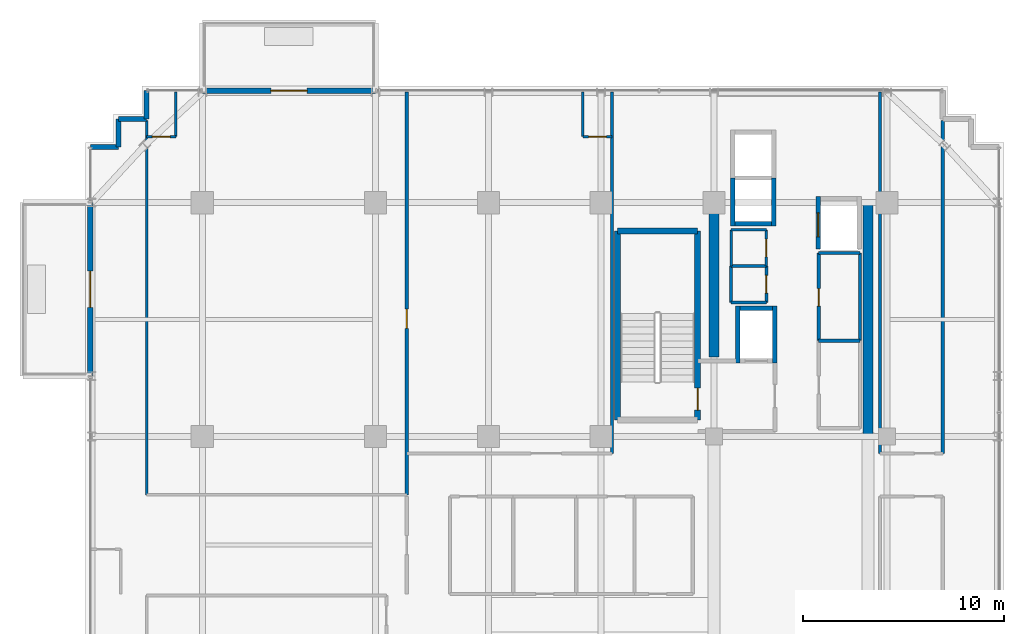
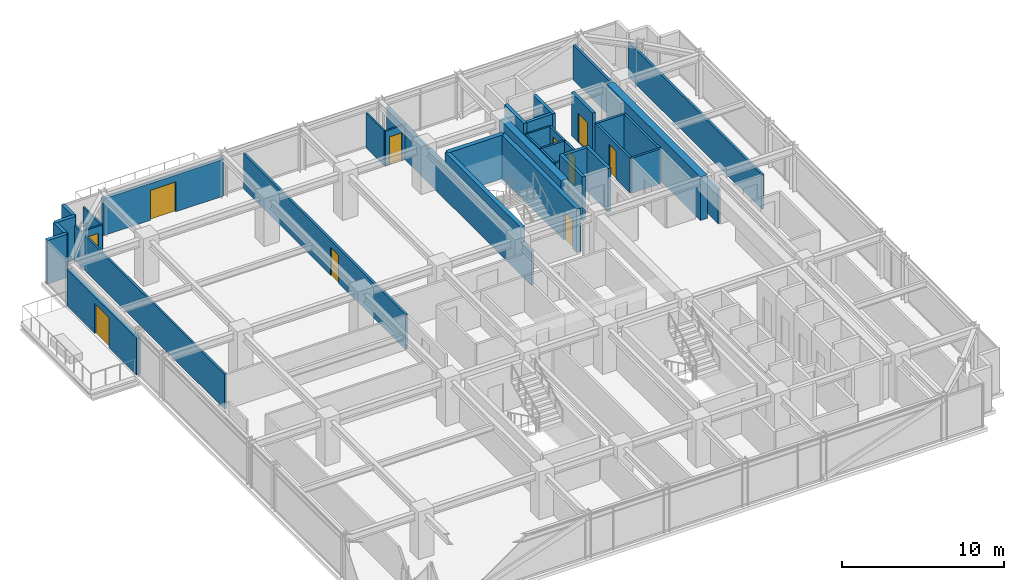
# One storey, part 28 of 32: 38 walls, 10 doors, 10 openings.
"""IFC4 building model written with IfcOpenShell, lengths in metres."""

from ifc_helpers import new_model, si_unit, direction, frame, frame_2d, origin, place, context, subcontext, project, spatial, rectangle, extrude, source, transform, mapped, material, layer, layer_set, type_object, element, fill, save


model = new_model("IFC4")

# Units and contexts
model_context = context("Model", 3, precision=1e-05, world=origin(), true_north=direction((0.0, 1.0)))
body_context = subcontext(model_context, "Body", "Model", "MODEL_VIEW")
ifc_project = project(units=[si_unit("LENGTHUNIT", "METRE"), si_unit("AREAUNIT", "SQUARE_METRE"), si_unit("VOLUMEUNIT", "CUBIC_METRE"), si_unit("PLANEANGLEUNIT", "RADIAN"), si_unit("MASSUNIT", "GRAM", prefix="KILO")], contexts=[model_context])

# Site, building, storey
site_placement = place(None, origin())
site = spatial("IfcSite", under=ifc_project, at=site_placement, CompositionType="ELEMENT")
building_placement = place(site_placement, origin())
building = spatial("IfcBuilding", under=site, at=building_placement, Name="Nahalor Promenade Grand Hotel", CompositionType="ELEMENT")
storey_placement = place(building_placement, frame((0.0, 0.0, 196.449951171875)))
storey = spatial("IfcBuildingStorey", under=building, at=storey_placement, Name="L50", CompositionType="ELEMENT", Elevation=196.449951171875)

# Walls
ifc_material_1 = material(Name="Concrete B-60 (C50/60)", Category="concrete")
ifc_layer_1 = layer(ifc_material_1, 0.5)
ifc_layer_set_1 = layer_set([ifc_layer_1], Name="Concrete B-60 (C50/60)")
wall_type_1 = type_object("IfcWallType", Name="Wall-CoreShear-500", PredefinedType="SHEAR", material=ifc_layer_set_1)
shared_shape_1 = source(origin(), body_context, "Body", "SweptSolid", [
    extrude(rectangle(XDim=7.64990234375, YDim=0.5, at=frame_2d((3.824951171875, 0.0))), origin(), (0.0, 0.0, 1.0), 3.2900390625),
])
wall_1_placement = place(storey_placement, frame((8.39990234375, 9.35009765625, 0.0), z_axis=(0.0, 0.0, 1.0), x_axis=(0.0, 1.0, 0.0)))
element("IfcWall", 1, at=wall_1_placement, inside=storey, type_object=wall_type_1, Name="CWALL-L50-NW", PredefinedType="SHEAR", context=body_context, shape_type="MappedRepresentation", body=[
    mapped(shared_shape_1, transform((0.0, 0.0, 0.0), scale=1.0)),
])
shared_shape_2 = source(origin(), body_context, "Body", "SweptSolid", [
    extrude(rectangle(XDim=11.60009765625, YDim=0.5, at=frame_2d((5.800048828125, 0.0))), origin(), (0.0, 0.0, 1.0), 3.2900390625),
])
wall_2_placement = place(storey_placement, frame((16.050048828125, 5.39990234375, 0.0), z_axis=(0.0, 0.0, 1.0), x_axis=(0.0, 1.0, 0.0)))
element("IfcWall", 2, at=wall_2_placement, inside=storey, type_object=wall_type_1, Name="CWALL-L50-NE", PredefinedType="SHEAR", context=body_context, shape_type="MappedRepresentation", body=[
    mapped(shared_shape_2, transform((0.0, 0.0, 0.0), scale=1.0)),
])
ifc_material_2 = material(Name="Concrete B-50 (C40/50)", Category="concrete")
ifc_layer_2 = layer(ifc_material_2, 0.300048828125)
ifc_layer_set_2 = layer_set([ifc_layer_2], Name="Concrete B-50 (C40/50)")
wall_type_2 = type_object("IfcWallType", Name="Wall-ShaftShear-300", PredefinedType="SHEAR", material=ifc_layer_set_2)
shared_shape_3 = source(origin(), body_context, "Body", "SweptSolid", [
    extrude(rectangle(XDim=3.97998046875, YDim=0.300048828125, at=frame_2d((1.989990234375, 0.0))), origin(), (0.0, 0.0, 1.0), 3.2900390625),
])
wall_3_placement = place(storey_placement, frame((3.610107421875, 15.590087890625, 0.0), z_axis=(0.0, 0.0, 1.0), x_axis=(1.0, 0.0, 0.0)))
element("IfcWall", 3, at=wall_3_placement, inside=storey, type_object=wall_type_2, Name="L50 Exit Stair ST1 Shaft Wall N", PredefinedType="SHEAR", context=body_context, shape_type="MappedRepresentation", body=[
    mapped(shared_shape_3, transform((0.0, 0.0, 0.0), scale=1.0)),
])
shared_shape_4 = source(origin(), body_context, "Body", "SweptSolid", [
    extrude(rectangle(XDim=9.380126953125, YDim=0.300048828125, at=frame_2d((4.68994140625, 0.0))), origin(), (0.0, 0.0, 1.0), 3.2900390625),
])
wall_4_placement = place(storey_placement, frame((3.610107421875, 6.2099609375, 0.0), z_axis=(0.0, 0.0, 1.0), x_axis=(0.0, 1.0, 0.0)))
element("IfcWall", 4, at=wall_4_placement, inside=storey, type_object=wall_type_2, Name="L50 Exit Stair ST1 Shaft Wall W", PredefinedType="SHEAR", context=body_context, shape_type="MappedRepresentation", body=[
    mapped(shared_shape_4, transform((0.0, 0.0, 0.0), scale=1.0)),
])

# Wall, opening, door
wall_5_placement = place(storey_placement, frame((7.590087890625, 6.2099609375, 0.0), z_axis=(0.0, 0.0, 1.0), x_axis=(0.0, 1.0, 0.0)))
wall_5 = element("IfcWall", 5, at=wall_5_placement, inside=storey, type_object=wall_type_2, Name="L50 Exit Stair ST1 Shaft Wall E", PredefinedType="SHEAR", context=body_context, shape_type="MappedRepresentation", body=[
    mapped(shared_shape_4, transform((0.0, 0.0, 0.0), scale=1.0)),
])
opening_1_placement = place(wall_5_placement, frame((0.489990234375, 0.0, 0.0)))
opening_1 = element("IfcOpeningElement", 6, at=opening_1_placement, cuts=wall_5, Name="Opening D-ST1", PredefinedType="OPENING", context=body_context, shape_type="SweptSolid", body=[
    extrude(rectangle(XDim=1.10009765625, YDim=2.14990234375, at=frame_2d((0.550048828125, 1.074951171875))), frame((0.0, 0.159912109375, 0.0), z_axis=(0.0, -1.0, 0.0), x_axis=(1.0, 0.0, 0.0)), (0.0, 0.0, 1.0), 0.320068359375),
])
ifc_material_3 = material(Name="Steel S355JR", Category="steel")
door_type_1 = type_object("IfcDoorType", Name="Door-StairFire-1100", OperationType="NOTDEFINED", PredefinedType="DOOR", material=ifc_material_3)
shared_shape_5 = source(origin(), body_context, "Body", "SweptSolid", [
    extrude(rectangle(XDim=1.10009765625, YDim=2.14990234375, at=frame_2d((0.550048828125, 1.074951171875))), frame((0.0, 0.02490234375, 0.0), z_axis=(0.0, -1.0, 0.0), x_axis=(1.0, 0.0, 0.0)), (0.0, 0.0, 1.0), 0.050048828125),
])
door_1_placement = place(opening_1_placement, origin())
door_1 = element("IfcDoor", 7, at=door_1_placement, inside=storey, type_object=door_type_1, Name="DR-STAIR-ST1-L50", OperationType="SINGLE_SWING_LEFT", OverallHeight=2.14990234375, OverallWidth=1.10009765625, PredefinedType="DOOR", context=body_context, shape_type="MappedRepresentation", body=[
    mapped(shared_shape_5, transform((0.0, 0.0, 0.0), scale=1.0)),
])
fill(opening_1, door_1)

# Walls
ifc_layer_3 = layer(ifc_material_2, 0.219970703125)
ifc_layer_set_3 = layer_set([ifc_layer_3], Name="Concrete B-50 (C40/50)")
wall_type_3 = type_object("IfcWallType", Name="Wall-LiftShaft-220", PredefinedType="SHEAR", material=ifc_layer_set_3)
shared_shape_6 = source(origin(), body_context, "Body", "SweptSolid", [
    extrude(rectangle(XDim=1.820068359375, YDim=0.219970703125, at=frame_2d((0.91015625, 0.0))), origin(), (0.0, 0.0, 1.0), 3.2900390625),
])
wall_6_placement = place(storey_placement, frame((9.43994140625, 15.949951171875, 0.0), z_axis=(0.0, 0.0, 1.0), x_axis=(1.0, 0.0, 0.0)))
element("IfcWall", 8, at=wall_6_placement, inside=storey, type_object=wall_type_3, Name="L50 Lift OB1 Hoistway Wall S", PredefinedType="SHEAR", context=body_context, shape_type="MappedRepresentation", body=[
    mapped(shared_shape_6, transform((0.0, 0.0, 0.0), scale=1.0)),
])
shared_shape_7 = source(origin(), body_context, "Body", "SweptSolid", [
    extrude(rectangle(XDim=2.385009765625, YDim=0.219970703125, at=frame_2d((1.1923828125, 0.0))), origin(), (0.0, 0.0, 1.0), 3.2900390625),
])
for number, where, z_axis, x_axis, name in (
    (9, (9.330078125, 15.840087890625, 0.0), (0.0, 0.0, 1.0), (0.0, 1.0, 0.0), "L50 Lift OB1 Hoistway Wall W"),
    (10, (11.3701171875, 15.840087890625, 0.0), (0.0, 0.0, 1.0), (0.0, 1.0, 0.0), "L50 Lift OB1 Hoistway Wall E"),
):
    element("IfcWall", number, at=place(storey_placement, frame(where, z_axis=z_axis, x_axis=x_axis)), inside=storey, type_object=wall_type_3, Name=name, PredefinedType="SHEAR", context=body_context, shape_type="MappedRepresentation", body=[
        mapped(shared_shape_7, transform((0.0, 0.0, 0.0), scale=1.0)),
    ])
shared_shape_8 = source(origin(), body_context, "Body", "SweptSolid", [
    extrude(rectangle(XDim=2.820068359375, YDim=0.219970703125, at=frame_2d((1.41015625, 0.0))), origin(), (0.0, 0.0, 1.0), 3.2900390625),
])
for number, where, z_axis, x_axis, name in (
    (11, (9.580078125, 9.0400390625, 0.0), (0.0, 0.0, 1.0), (0.0, 1.0, 0.0), "L50 Lift FL1 Hoistway Wall W"),
    (12, (11.419921875, 9.0400390625, 0.0), (0.0, 0.0, 1.0), (0.0, 1.0, 0.0), "L50 Lift FL1 Hoistway Wall E"),
):
    element("IfcWall", number, at=place(storey_placement, frame(where, z_axis=z_axis, x_axis=x_axis)), inside=storey, type_object=wall_type_3, Name=name, PredefinedType="SHEAR", context=body_context, shape_type="MappedRepresentation", body=[
        mapped(shared_shape_8, transform((0.0, 0.0, 0.0), scale=1.0)),
    ])
shared_shape_9 = source(origin(), body_context, "Body", "SweptSolid", [
    extrude(rectangle(XDim=1.6201171875, YDim=0.219970703125, at=frame_2d((0.81005859375, 0.0))), origin(), (0.0, 0.0, 1.0), 3.2900390625),
])
wall_7_placement = place(storey_placement, frame((9.68994140625, 11.75, 0.0), z_axis=(0.0, 0.0, 1.0), x_axis=(1.0, 0.0, 0.0)))
element("IfcWall", 13, at=wall_7_placement, inside=storey, type_object=wall_type_3, Name="L50 Lift FL1 Hoistway Wall N", PredefinedType="SHEAR", context=body_context, shape_type="MappedRepresentation", body=[
    mapped(shared_shape_9, transform((0.0, 0.0, 0.0), scale=1.0)),
])

# Wall, opening, door
shared_shape_10 = source(origin(), body_context, "Body", "SweptSolid", [
    extrude(rectangle(XDim=2.610107421875, YDim=0.219970703125, at=frame_2d((1.30517578125, 0.0))), origin(), (0.0, 0.0, 1.0), 3.2900390625),
])
wall_8_placement = place(storey_placement, frame((13.580078125, 14.699951171875, 0.0), z_axis=(0.0, 0.0, 1.0), x_axis=(0.0, 1.0, 0.0)))
wall_8 = element("IfcWall", 14, at=wall_8_placement, inside=storey, type_object=wall_type_3, Name="L50 Lift SV1 Hoistway Wall W", PredefinedType="SHEAR", context=body_context, shape_type="MappedRepresentation", body=[
    mapped(shared_shape_10, transform((0.0, 0.0, 0.0), scale=1.0)),
])
opening_2_placement = place(wall_8_placement, frame((0.60009765625, 0.0, 0.0)))
opening_2 = element("IfcOpeningElement", 15, at=opening_2_placement, cuts=wall_8, Name="Opening LD-03", PredefinedType="OPENING", context=body_context, shape_type="SweptSolid", body=[
    extrude(rectangle(XDim=1.199951171875, YDim=2.199951171875, at=frame_2d((0.60009765625, 1.10009765625))), frame((0.0, 0.119873046875, 0.0), z_axis=(0.0, -1.0, 0.0), x_axis=(1.0, 0.0, 0.0)), (0.0, 0.0, 1.0), 0.239990234375),
])
door_type_2 = type_object("IfcDoorType", Name="Door-LiftService-1200", OperationType="DOUBLE_DOOR_SLIDING", PredefinedType="DOOR", material=ifc_material_3)
shared_shape_11 = source(origin(), body_context, "Body", "SweptSolid", [
    extrude(rectangle(XDim=1.199951171875, YDim=2.199951171875, at=frame_2d((0.60009765625, 1.10009765625))), frame((0.0, 0.02490234375, 0.0), z_axis=(0.0, -1.0, 0.0), x_axis=(1.0, 0.0, 0.0)), (0.0, 0.0, 1.0), 0.050048828125),
])
door_2_placement = place(opening_2_placement, origin())
door_2 = element("IfcDoor", 16, at=door_2_placement, inside=storey, type_object=door_type_2, Name="DR-LIFT-SV1-L50", OperationType="DOUBLE_DOOR_SLIDING", OverallHeight=2.199951171875, OverallWidth=1.199951171875, PredefinedType="DOOR", context=body_context, shape_type="MappedRepresentation", body=[
    mapped(shared_shape_11, transform((0.0, 0.0, 0.0), scale=1.0)),
])
fill(opening_2, door_2)

ifc_material_4 = material(Name="Concrete B-40 (C32/40)", Category="concrete")
ifc_layer_4 = layer(ifc_material_4, 0.260009765625)
ifc_layer_set_4 = layer_set([ifc_layer_4], Name="Concrete B-40 (C32/40)")
wall_type_4 = type_object("IfcWallType", Name="Wall-BalconyWall-260", PredefinedType="STANDARD", material=ifc_layer_set_4)
shared_shape_12 = source(origin(), body_context, "Body", "SweptSolid", [
    extrude(rectangle(XDim=8.60009765625, YDim=0.260009765625, at=frame_2d((4.300048828125, 0.0))), origin(), (0.0, 0.0, 1.0), 2.77001953125),
])
wall_9_placement = place(storey_placement, frame((-17.0, 22.56005859375, 0.0), z_axis=(0.0, 0.0, 1.0), x_axis=(1.0, 0.0, 0.0)))
wall_9 = element("IfcWall", 17, at=wall_9_placement, inside=storey, type_object=wall_type_4, Name="W-L50-BALC-N-2", PredefinedType="STANDARD", context=body_context, shape_type="MappedRepresentation", body=[
    mapped(shared_shape_12, transform((0.0, 0.0, 0.0), scale=1.0)),
])
opening_3_placement = place(wall_9_placement, frame((3.39990234375, 0.0, 0.0)))
opening_3 = element("IfcOpeningElement", 18, at=opening_3_placement, cuts=wall_9, Name="Opening D-BC1", PredefinedType="OPENING", context=body_context, shape_type="SweptSolid", body=[
    extrude(rectangle(XDim=1.800048828125, YDim=2.25, at=frame_2d((0.89990234375, 1.125))), frame((0.0, 0.139892578125, 0.0), z_axis=(0.0, -1.0, 0.0), x_axis=(1.0, 0.0, 0.0)), (0.0, 0.0, 1.0), 0.280029296875),
])
ifc_material_5 = material(Name="Anodised Bronze Aluminium EN AW-6063 T6", Category="aluminium")
door_type_3 = type_object("IfcDoorType", Name="Door-BalconySlide-1800", OperationType="DOUBLE_DOOR_SLIDING", PredefinedType="DOOR", material=ifc_material_5)
shared_shape_13 = source(origin(), body_context, "Body", "SweptSolid", [
    extrude(rectangle(XDim=1.800048828125, YDim=2.25, at=frame_2d((0.89990234375, 1.125))), frame((0.0, 0.02490234375, 0.0), z_axis=(0.0, -1.0, 0.0), x_axis=(1.0, 0.0, 0.0)), (0.0, 0.0, 1.0), 0.050048828125),
])
door_3_placement = place(opening_3_placement, origin())
door_3 = element("IfcDoor", 19, at=door_3_placement, inside=storey, type_object=door_type_3, Name="DR-L50-BALC-N-2", OperationType="DOUBLE_DOOR_SLIDING", OverallHeight=2.25, OverallWidth=1.800048828125, PredefinedType="DOOR", context=body_context, shape_type="MappedRepresentation", body=[
    mapped(shared_shape_13, transform((0.0, 0.0, 0.0), scale=1.0)),
])
fill(opening_3, door_3)

wall_10_placement = place(storey_placement, frame((-22.56005859375, 8.39990234375, 0.0), z_axis=(0.0, 0.0, 1.0), x_axis=(0.0, 1.0, 0.0)))
wall_10 = element("IfcWall", 20, at=wall_10_placement, inside=storey, type_object=wall_type_4, Name="W-L50-BALC-W-2", PredefinedType="STANDARD", context=body_context, shape_type="MappedRepresentation", body=[
    mapped(shared_shape_12, transform((0.0, 0.0, 0.0), scale=1.0)),
])
opening_4_placement = place(wall_10_placement, frame((3.39990234375, 0.0, 0.0)))
opening_4 = element("IfcOpeningElement", 21, at=opening_4_placement, cuts=wall_10, Name="Opening D-BC1", PredefinedType="OPENING", context=body_context, shape_type="SweptSolid", body=[
    extrude(rectangle(XDim=1.800048828125, YDim=2.25, at=frame_2d((0.89990234375, 1.125))), frame((0.0, 0.139892578125, 0.0), z_axis=(0.0, -1.0, 0.0), x_axis=(1.0, 0.0, 0.0)), (0.0, 0.0, 1.0), 0.280029296875),
])
door_4_placement = place(opening_4_placement, origin())
door_4 = element("IfcDoor", 22, at=door_4_placement, inside=storey, type_object=door_type_3, Name="DR-L50-BALC-W-2", OperationType="DOUBLE_DOOR_SLIDING", OverallHeight=2.25, OverallWidth=1.800048828125, PredefinedType="DOOR", context=body_context, shape_type="MappedRepresentation", body=[
    mapped(shared_shape_13, transform((0.0, 0.0, 0.0), scale=1.0)),
])
fill(opening_4, door_4)

# Walls
ifc_layer_5 = layer(ifc_material_4, 0.25)
ifc_layer_set_5 = layer_set([ifc_layer_5], Name="Concrete B-40 (C32/40)")
wall_type_5 = type_object("IfcWallType", Name="Wall-BronzePier-250", PredefinedType="STANDARD", material=ifc_layer_set_5)
shared_shape_14 = source(origin(), body_context, "Body", "SweptSolid", [
    extrude(rectangle(XDim=1.400146484375, YDim=0.25, at=frame_2d((0.7001953125, 0.0))), origin(), (0.0, 0.0, 1.0), 3.2900390625),
])
for number, where, z_axis, x_axis, name in (
    (23, (-19.760009765625, 21.159912109375, 0.0), (0.0, 0.0, 1.0), (0.0, 1.0, 0.0), "W-L50-SR-09"),
    (24, (-22.56005859375, 19.760009765625, 0.0), (0.0, 0.0, 1.0), (1.0, 0.0, 0.0), "W-L50-SR-12"),
):
    element("IfcWall", number, at=place(storey_placement, frame(where, z_axis=z_axis, x_axis=x_axis)), inside=storey, type_object=wall_type_5, Name=name, PredefinedType="STANDARD", context=body_context, shape_type="MappedRepresentation", body=[
        mapped(shared_shape_14, transform((0.0, 0.0, 0.0), scale=1.0)),
    ])
shared_shape_15 = source(origin(), body_context, "Body", "SweptSolid", [
    extrude(rectangle(XDim=1.39990234375, YDim=0.25, at=frame_2d((0.699951171875, 0.0))), origin(), (0.0, 0.0, 1.0), 3.2900390625),
])
for number, where, z_axis, x_axis, name in (
    (25, (-21.159912109375, 21.159912109375, 0.0), (0.0, 0.0, 1.0), (1.0, 0.0, 0.0), "W-L50-SR-10"),
    (26, (-21.159912109375, 19.760009765625, 0.0), (0.0, 0.0, 1.0), (0.0, 1.0, 0.0), "W-L50-SR-11"),
):
    element("IfcWall", number, at=place(storey_placement, frame(where, z_axis=z_axis, x_axis=x_axis)), inside=storey, type_object=wall_type_5, Name=name, PredefinedType="STANDARD", context=body_context, shape_type="MappedRepresentation", body=[
        mapped(shared_shape_15, transform((0.0, 0.0, 0.0), scale=1.0)),
    ])
ifc_material_6 = material(Name="Acoustic Mineral Gypsum", Category="gypsum")
ifc_layer_6 = layer(ifc_material_6, 0.14990234375)
ifc_layer_set_6 = layer_set([ifc_layer_6], Name="Acoustic Mineral Gypsum")
wall_type_6 = type_object("IfcWallType", Name="Wall-PartService-150", PredefinedType="PARTITIONING", material=ifc_layer_set_6)
shared_shape_16 = source(origin(), body_context, "Body", "SweptSolid", [
    extrude(rectangle(XDim=1.75, YDim=0.14990234375, at=frame_2d((0.875, 0.0))), origin(), (0.0, 0.0, 1.0), 2.630126953125),
])
for number, where, z_axis, x_axis, name in (
    (27, (9.25, 12.050048828125, 0.0), (0.0, 0.0, 1.0), (1.0, 0.0, 0.0), "W-L50-CK2A-S"),
    (28, (9.25, 13.85009765625, 0.0), (0.0, 0.0, 1.0), (1.0, 0.0, 0.0), "W-L50-CK2A-N"),
):
    element("IfcWall", number, at=place(storey_placement, frame(where, z_axis=z_axis, x_axis=x_axis)), inside=storey, type_object=wall_type_6, Name=name, PredefinedType="PARTITIONING", context=body_context, shape_type="MappedRepresentation", body=[
        mapped(shared_shape_16, transform((0.0, 0.0, 0.0), scale=1.0)),
    ])
shared_shape_17 = source(origin(), body_context, "Body", "SweptSolid", [
    extrude(rectangle(XDim=1.800048828125, YDim=0.14990234375, at=frame_2d((0.89990234375, 0.0))), origin(), (0.0, 0.0, 1.0), 2.630126953125),
])
wall_11_placement = place(storey_placement, frame((9.25, 12.050048828125, 0.0), z_axis=(0.0, 0.0, 1.0), x_axis=(0.0, 1.0, 0.0)))
element("IfcWall", 29, at=wall_11_placement, inside=storey, type_object=wall_type_6, Name="W-L50-CK2A-W", PredefinedType="PARTITIONING", context=body_context, shape_type="MappedRepresentation", body=[
    mapped(shared_shape_17, transform((0.0, 0.0, 0.0), scale=1.0)),
])

# Wall, opening, door
wall_12_placement = place(storey_placement, frame((11.0, 12.050048828125, 0.0), z_axis=(0.0, 0.0, 1.0), x_axis=(0.0, 1.0, 0.0)))
wall_12 = element("IfcWall", 30, at=wall_12_placement, inside=storey, type_object=wall_type_6, Name="W-L50-CK2A-E", PredefinedType="PARTITIONING", context=body_context, shape_type="MappedRepresentation", body=[
    mapped(shared_shape_17, transform((0.0, 0.0, 0.0), scale=1.0)),
])
opening_5_placement = place(wall_12_placement, frame((0.4599609375, 0.0, 0.0)))
opening_5 = element("IfcOpeningElement", 31, at=opening_5_placement, cuts=wall_12, Name="Opening D-03", PredefinedType="OPENING", context=body_context, shape_type="SweptSolid", body=[
    extrude(rectangle(XDim=0.8798828125, YDim=2.10009765625, at=frame_2d((0.43994140625, 1.050048828125))), frame((0.0, 0.0849609375, 0.0), z_axis=(0.0, -1.0, 0.0), x_axis=(1.0, 0.0, 0.0)), (0.0, 0.0, 1.0), 0.169921875),
])
ifc_material_7 = material(Name="Fire-Rated Timber Composite", Category="wood")
door_type_4 = type_object("IfcDoorType", Name="Door-BathSwing-880", OperationType="NOTDEFINED", PredefinedType="DOOR", material=ifc_material_7)
shared_shape_18 = source(origin(), body_context, "Body", "SweptSolid", [
    extrude(rectangle(XDim=0.8798828125, YDim=2.10009765625, at=frame_2d((0.43994140625, 1.050048828125))), frame((0.0, 0.02490234375, 0.0), z_axis=(0.0, -1.0, 0.0), x_axis=(1.0, 0.0, 0.0)), (0.0, 0.0, 1.0), 0.050048828125),
])
door_5_placement = place(opening_5_placement, origin())
door_5 = element("IfcDoor", 32, at=door_5_placement, inside=storey, type_object=door_type_4, Name="DR-L50-CK2A", OperationType="SINGLE_SWING_RIGHT", OverallHeight=2.10009765625, OverallWidth=0.8798828125, PredefinedType="DOOR", context=body_context, shape_type="MappedRepresentation", body=[
    mapped(shared_shape_18, transform((0.0, 0.0, 0.0), scale=1.0)),
])
fill(opening_5, door_5)

# Walls
ifc_layer_7 = layer(ifc_material_6, 0.1201171875)
ifc_layer_set_7 = layer_set([ifc_layer_7], Name="Acoustic Mineral Gypsum")
wall_type_7 = type_object("IfcWallType", Name="Wall-PartBath-120", PredefinedType="PARTITIONING", material=ifc_layer_set_7)
shared_shape_19 = source(origin(), body_context, "Body", "SweptSolid", [
    extrude(rectangle(XDim=1.75, YDim=0.1201171875, at=frame_2d((0.875, 0.0))), origin(), (0.0, 0.0, 1.0), 2.630126953125),
])
wall_13_placement = place(storey_placement, frame((9.25, 15.64990234375, 0.0), z_axis=(0.0, 0.0, 1.0), x_axis=(1.0, 0.0, 0.0)))
element("IfcWall", 33, at=wall_13_placement, inside=storey, type_object=wall_type_7, Name="W-L50-CK2B-N", PredefinedType="PARTITIONING", context=body_context, shape_type="MappedRepresentation", body=[
    mapped(shared_shape_19, transform((0.0, 0.0, 0.0), scale=1.0)),
])
shared_shape_20 = source(origin(), body_context, "Body", "SweptSolid", [
    extrude(rectangle(XDim=1.7998046875, YDim=0.1201171875, at=frame_2d((0.89990234375, 0.0))), origin(), (0.0, 0.0, 1.0), 2.630126953125),
])
wall_14_placement = place(storey_placement, frame((9.25, 13.85009765625, 0.0), z_axis=(0.0, 0.0, 1.0), x_axis=(0.0, 1.0, 0.0)))
element("IfcWall", 34, at=wall_14_placement, inside=storey, type_object=wall_type_7, Name="W-L50-CK2B-W", PredefinedType="PARTITIONING", context=body_context, shape_type="MappedRepresentation", body=[
    mapped(shared_shape_20, transform((0.0, 0.0, 0.0), scale=1.0)),
])

# Wall, opening, door
wall_15_placement = place(storey_placement, frame((11.0, 13.85009765625, 0.0), z_axis=(0.0, 0.0, 1.0), x_axis=(0.0, 1.0, 0.0)))
wall_15 = element("IfcWall", 35, at=wall_15_placement, inside=storey, type_object=wall_type_7, Name="W-L50-CK2B-E", PredefinedType="PARTITIONING", context=body_context, shape_type="MappedRepresentation", body=[
    mapped(shared_shape_20, transform((0.0, 0.0, 0.0), scale=1.0)),
])
opening_6_placement = place(wall_15_placement, frame((0.4599609375, 0.0, 0.0)))
opening_6 = element("IfcOpeningElement", 36, at=opening_6_placement, cuts=wall_15, Name="Opening D-03", PredefinedType="OPENING", context=body_context, shape_type="SweptSolid", body=[
    extrude(rectangle(XDim=0.8798828125, YDim=2.10009765625, at=frame_2d((0.43994140625, 1.050048828125))), frame((0.0, 0.070068359375, 0.0), z_axis=(0.0, -1.0, 0.0), x_axis=(1.0, 0.0, 0.0)), (0.0, 0.0, 1.0), 0.14013671875),
])
door_6_placement = place(opening_6_placement, origin())
door_6 = element("IfcDoor", 37, at=door_6_placement, inside=storey, type_object=door_type_4, Name="DR-L50-CK2B", OperationType="SINGLE_SWING_LEFT", OverallHeight=2.10009765625, OverallWidth=0.8798828125, PredefinedType="DOOR", context=body_context, shape_type="MappedRepresentation", body=[
    mapped(shared_shape_18, transform((0.0, 0.0, 0.0), scale=1.0)),
])
fill(opening_6, door_6)

# Walls
ifc_layer_8 = layer(ifc_material_6, 0.159912109375)
ifc_layer_set_8 = layer_set([ifc_layer_8], Name="Acoustic Mineral Gypsum")
wall_type_8 = type_object("IfcWallType", Name="Wall-PartCorridor-160", PredefinedType="PARTITIONING", material=ifc_layer_set_8)
shared_shape_21 = source(origin(), body_context, "Body", "SweptSolid", [
    extrude(rectangle(XDim=2.0498046875, YDim=0.159912109375, at=frame_2d((1.02490234375, 0.0))), origin(), (0.0, 0.0, 1.0), 2.630126953125),
])
for number, where, z_axis, x_axis, name in (
    (38, (13.60009765625, 10.14990234375, 0.0), (0.0, 0.0, 1.0), (1.0, 0.0, 0.0), "W-L50-FRB1A-N"),
    (39, (13.60009765625, 14.5, 0.0), (0.0, 0.0, 1.0), (1.0, 0.0, 0.0), "W-L50-FRB1B-N"),
):
    element("IfcWall", number, at=place(storey_placement, frame(where, z_axis=z_axis, x_axis=x_axis)), inside=storey, type_object=wall_type_8, Name=name, PredefinedType="PARTITIONING", context=body_context, shape_type="MappedRepresentation", body=[
        mapped(shared_shape_21, transform((0.0, 0.0, 0.0), scale=1.0)),
    ])

# Wall, opening, door
shared_shape_22 = source(origin(), body_context, "Body", "SweptSolid", [
    extrude(rectangle(XDim=4.35009765625, YDim=0.159912109375, at=frame_2d((2.175048828125, 0.0))), origin(), (0.0, 0.0, 1.0), 2.630126953125),
])
wall_16_placement = place(storey_placement, frame((13.60009765625, 10.14990234375, 0.0), z_axis=(0.0, 0.0, 1.0), x_axis=(0.0, 1.0, 0.0)))
wall_16 = element("IfcWall", 40, at=wall_16_placement, inside=storey, type_object=wall_type_8, Name="W-L50-FRB1B-W", PredefinedType="PARTITIONING", context=body_context, shape_type="MappedRepresentation", body=[
    mapped(shared_shape_22, transform((0.0, 0.0, 0.0), scale=1.0)),
])
opening_7_placement = place(wall_16_placement, frame((1.7099609375, 0.0, 0.0)))
opening_7 = element("IfcOpeningElement", 41, at=opening_7_placement, cuts=wall_16, Name="Opening D-03", PredefinedType="OPENING", context=body_context, shape_type="SweptSolid", body=[
    extrude(rectangle(XDim=0.8798828125, YDim=2.10009765625, at=frame_2d((0.43994140625, 1.050048828125))), frame((0.0, 0.08984375, 0.0), z_axis=(0.0, -1.0, 0.0), x_axis=(1.0, 0.0, 0.0)), (0.0, 0.0, 1.0), 0.179931640625),
])
door_7_placement = place(opening_7_placement, frame((0.8798828125, 0.0, 0.0), z_axis=(0.0, 0.0, 1.0), x_axis=(-1.0, 0.0, 0.0)))
door_7 = element("IfcDoor", 42, at=door_7_placement, inside=storey, type_object=door_type_4, Name="DR-L50-FRB1B", OperationType="SINGLE_SWING_LEFT", OverallHeight=2.10009765625, OverallWidth=0.8798828125, PredefinedType="DOOR", context=body_context, shape_type="MappedRepresentation", body=[
    mapped(shared_shape_18, transform((0.0, 0.0, 0.0), scale=1.0)),
])
fill(opening_7, door_7)

# Walls
wall_17_placement = place(storey_placement, frame((15.64990234375, 10.14990234375, 0.0), z_axis=(0.0, 0.0, 1.0), x_axis=(0.0, 1.0, 0.0)))
element("IfcWall", 43, at=wall_17_placement, inside=storey, type_object=wall_type_8, Name="W-L50-FRB1B-E", PredefinedType="PARTITIONING", context=body_context, shape_type="MappedRepresentation", body=[
    mapped(shared_shape_22, transform((0.0, 0.0, 0.0), scale=1.0)),
])
shared_shape_23 = source(origin(), body_context, "Body", "SweptSolid", [
    extrude(rectangle(XDim=17.949951171875, YDim=0.159912109375, at=frame_2d((8.97509765625, 0.0))), origin(), (0.0, 0.0, 1.0), 2.630126953125),
])
wall_18_placement = place(storey_placement, frame((16.64990234375, 4.550048828125, 0.0), z_axis=(0.0, 0.0, 1.0), x_axis=(0.0, 1.0, 0.0)))
element("IfcWall", 44, at=wall_18_placement, inside=storey, type_object=wall_type_8, Name="W-L50-ENE-W", PredefinedType="PARTITIONING", context=body_context, shape_type="MappedRepresentation", body=[
    mapped(shared_shape_23, transform((0.0, 0.0, 0.0), scale=1.0)),
])
shared_shape_24 = source(origin(), body_context, "Body", "SweptSolid", [
    extrude(rectangle(XDim=16.530029296875, YDim=0.159912109375, at=frame_2d((8.26513671875, 0.0))), origin(), (0.0, 0.0, 1.0), 2.630126953125),
])
wall_19_placement = place(storey_placement, frame((19.760009765625, 4.550048828125, 0.0), z_axis=(0.0, 0.0, 1.0), x_axis=(0.0, 1.0, 0.0)))
element("IfcWall", 45, at=wall_19_placement, inside=storey, type_object=wall_type_8, Name="W-L50-ENE-E", PredefinedType="PARTITIONING", context=body_context, shape_type="MappedRepresentation", body=[
    mapped(shared_shape_24, transform((0.0, 0.0, 0.0), scale=1.0)),
])

# Wall, opening, door
shared_shape_25 = source(origin(), body_context, "Body", "SweptSolid", [
    extrude(rectangle(XDim=20.0, YDim=0.159912109375, at=frame_2d((10.0, 0.0))), origin(), (0.0, 0.0, 1.0), 2.630126953125),
])
wall_20_placement = place(storey_placement, frame((-6.85009765625, 2.5, 0.0), z_axis=(0.0, 0.0, 1.0), x_axis=(0.0, 1.0, 0.0)))
wall_20 = element("IfcWall", 46, at=wall_20_placement, inside=storey, type_object=wall_type_8, Name="W-L50-ZNW-E", PredefinedType="PARTITIONING", context=body_context, shape_type="MappedRepresentation", body=[
    mapped(shared_shape_25, transform((0.0, 0.0, 0.0), scale=1.0)),
])
opening_8_placement = place(wall_20_placement, frame((8.264892578125, 0.0, 0.0)))
opening_8 = element("IfcOpeningElement", 47, at=opening_8_placement, cuts=wall_20, Name="Opening D-01", PredefinedType="OPENING", context=body_context, shape_type="SweptSolid", body=[
    extrude(rectangle(XDim=0.949951171875, YDim=2.10009765625, at=frame_2d((0.47509765625, 1.050048828125))), frame((0.0, 0.08984375, 0.0), z_axis=(0.0, -1.0, 0.0), x_axis=(1.0, 0.0, 0.0)), (0.0, 0.0, 1.0), 0.179931640625),
])
door_type_5 = type_object("IfcDoorType", Name="Door-GuestEntry-950", OperationType="NOTDEFINED", PredefinedType="DOOR", material=ifc_material_7)
shared_shape_26 = source(origin(), body_context, "Body", "SweptSolid", [
    extrude(rectangle(XDim=0.949951171875, YDim=2.10009765625, at=frame_2d((0.47509765625, 1.050048828125))), frame((0.0, 0.02490234375, 0.0), z_axis=(0.0, -1.0, 0.0), x_axis=(1.0, 0.0, 0.0)), (0.0, 0.0, 1.0), 0.050048828125),
])
door_8_placement = place(opening_8_placement, origin())
door_8 = element("IfcDoor", 48, at=door_8_placement, inside=storey, type_object=door_type_5, Name="DR-L50-NW0-ENT", OperationType="SINGLE_SWING_LEFT", OverallHeight=2.10009765625, OverallWidth=0.949951171875, PredefinedType="DOOR", context=body_context, shape_type="MappedRepresentation", body=[
    mapped(shared_shape_26, transform((0.0, 0.0, 0.0), scale=1.0)),
])
fill(opening_8, door_8)

# Wall
ifc_layer_9 = layer(ifc_material_6, 0.139892578125)
ifc_layer_set_9 = layer_set([ifc_layer_9], Name="Acoustic Mineral Gypsum")
wall_type_9 = type_object("IfcWallType", Name="Wall-PartSuite-140", PredefinedType="PARTITIONING", material=ifc_layer_set_9)
shared_shape_27 = source(origin(), body_context, "Body", "SweptSolid", [
    extrude(rectangle(XDim=18.580078125, YDim=0.139892578125, at=frame_2d((9.2900390625, 0.0))), origin(), (0.0, 0.0, 1.0), 2.630126953125),
])
wall_21_placement = place(storey_placement, frame((-19.760009765625, 2.5, 0.0), z_axis=(0.0, 0.0, 1.0), x_axis=(0.0, 1.0, 0.0)))
element("IfcWall", 49, at=wall_21_placement, inside=storey, type_object=wall_type_9, Name="W-L50-ZNW-W", PredefinedType="PARTITIONING", context=body_context, shape_type="MappedRepresentation", body=[
    mapped(shared_shape_27, transform((0.0, 0.0, 0.0), scale=1.0)),
])

# Wall, opening, door
shared_shape_28 = source(origin(), body_context, "Body", "SweptSolid", [
    extrude(rectangle(XDim=1.449951171875, YDim=0.1201171875, at=frame_2d((0.72509765625, 0.0))), origin(), (0.0, 0.0, 1.0), 2.630126953125),
])
wall_22_placement = place(storey_placement, frame((-19.760009765625, 20.280029296875, 0.0), z_axis=(0.0, 0.0, 1.0), x_axis=(1.0, 0.0, 0.0)))
wall_22 = element("IfcWall", 50, at=wall_22_placement, inside=storey, type_object=wall_type_7, Name="W-L50-NW0-BH", PredefinedType="PARTITIONING", context=body_context, shape_type="MappedRepresentation", body=[
    mapped(shared_shape_28, transform((0.0, 0.0, 0.0), scale=1.0)),
])
opening_9_placement = place(wall_22_placement, frame((0.284912109375, 0.0, 0.0)))
opening_9 = element("IfcOpeningElement", 51, at=opening_9_placement, cuts=wall_22, Name="Opening D-03", PredefinedType="OPENING", context=body_context, shape_type="SweptSolid", body=[
    extrude(rectangle(XDim=0.8798828125, YDim=2.10009765625, at=frame_2d((0.43994140625, 1.050048828125))), frame((0.0, 0.070068359375, 0.0), z_axis=(0.0, -1.0, 0.0), x_axis=(1.0, 0.0, 0.0)), (0.0, 0.0, 1.0), 0.14013671875),
])
door_9_placement = place(opening_9_placement, origin())
door_9 = element("IfcDoor", 52, at=door_9_placement, inside=storey, type_object=door_type_4, Name="DR-L50-NW0-BATH", OperationType="SINGLE_SWING_RIGHT", OverallHeight=2.10009765625, OverallWidth=0.8798828125, PredefinedType="DOOR", context=body_context, shape_type="MappedRepresentation", body=[
    mapped(shared_shape_18, transform((0.0, 0.0, 0.0), scale=1.0)),
])
fill(opening_9, door_9)

# Walls
shared_shape_29 = source(origin(), body_context, "Body", "SweptSolid", [
    extrude(rectangle(XDim=2.219970703125, YDim=0.1201171875, at=frame_2d((1.10986328125, 0.0))), origin(), (0.0, 0.0, 1.0), 2.630126953125),
])
for number, where, z_axis, x_axis, name in (
    (53, (-18.31005859375, 20.280029296875, 0.0), (0.0, 0.0, 1.0), (0.0, 1.0, 0.0), "W-L50-NW0-BV"),
    (54, (1.889892578125, 20.280029296875, 0.0), (0.0, 0.0, 1.0), (0.0, 1.0, 0.0), "W-L50-N1-BV"),
):
    element("IfcWall", number, at=place(storey_placement, frame(where, z_axis=z_axis, x_axis=x_axis)), inside=storey, type_object=wall_type_7, Name=name, PredefinedType="PARTITIONING", context=body_context, shape_type="MappedRepresentation", body=[
        mapped(shared_shape_29, transform((0.0, 0.0, 0.0), scale=1.0)),
    ])
shared_shape_30 = source(origin(), body_context, "Body", "SweptSolid", [
    extrude(rectangle(XDim=17.949951171875, YDim=0.139892578125, at=frame_2d((8.97509765625, 0.0))), origin(), (0.0, 0.0, 1.0), 2.630126953125),
])
wall_23_placement = place(storey_placement, frame((3.340087890625, 4.550048828125, 0.0), z_axis=(0.0, 0.0, 1.0), x_axis=(0.0, 1.0, 0.0)))
element("IfcWall", 55, at=wall_23_placement, inside=storey, type_object=wall_type_9, Name="W-L50-NW-ENDE", PredefinedType="PARTITIONING", context=body_context, shape_type="MappedRepresentation", body=[
    mapped(shared_shape_30, transform((0.0, 0.0, 0.0), scale=1.0)),
])

# Wall, opening, door
shared_shape_31 = source(origin(), body_context, "Body", "SweptSolid", [
    extrude(rectangle(XDim=1.4501953125, YDim=0.1201171875, at=frame_2d((0.72509765625, 0.0))), origin(), (0.0, 0.0, 1.0), 2.630126953125),
])
wall_24_placement = place(storey_placement, frame((1.889892578125, 20.280029296875, 0.0), z_axis=(0.0, 0.0, 1.0), x_axis=(1.0, 0.0, 0.0)))
wall_24 = element("IfcWall", 56, at=wall_24_placement, inside=storey, type_object=wall_type_7, Name="W-L50-N1-BH", PredefinedType="PARTITIONING", context=body_context, shape_type="MappedRepresentation", body=[
    mapped(shared_shape_31, transform((0.0, 0.0, 0.0), scale=1.0)),
])
opening_10_placement = place(wall_24_placement, frame((0.284912109375, 0.0, 0.0)))
opening_10 = element("IfcOpeningElement", 57, at=opening_10_placement, cuts=wall_24, Name="Opening D-03", PredefinedType="OPENING", context=body_context, shape_type="SweptSolid", body=[
    extrude(rectangle(XDim=0.8798828125, YDim=2.10009765625, at=frame_2d((0.43994140625, 1.050048828125))), frame((0.0, 0.070068359375, 0.0), z_axis=(0.0, -1.0, 0.0), x_axis=(1.0, 0.0, 0.0)), (0.0, 0.0, 1.0), 0.14013671875),
])
door_10_placement = place(opening_10_placement, origin())
door_10 = element("IfcDoor", 58, at=door_10_placement, inside=storey, type_object=door_type_4, Name="DR-L50-N1-BATH", OperationType="SINGLE_SWING_RIGHT", OverallHeight=2.10009765625, OverallWidth=0.8798828125, PredefinedType="DOOR", context=body_context, shape_type="MappedRepresentation", body=[
    mapped(shared_shape_18, transform((0.0, 0.0, 0.0), scale=1.0)),
])
fill(opening_10, door_10)

save(model, "model.ifc")
